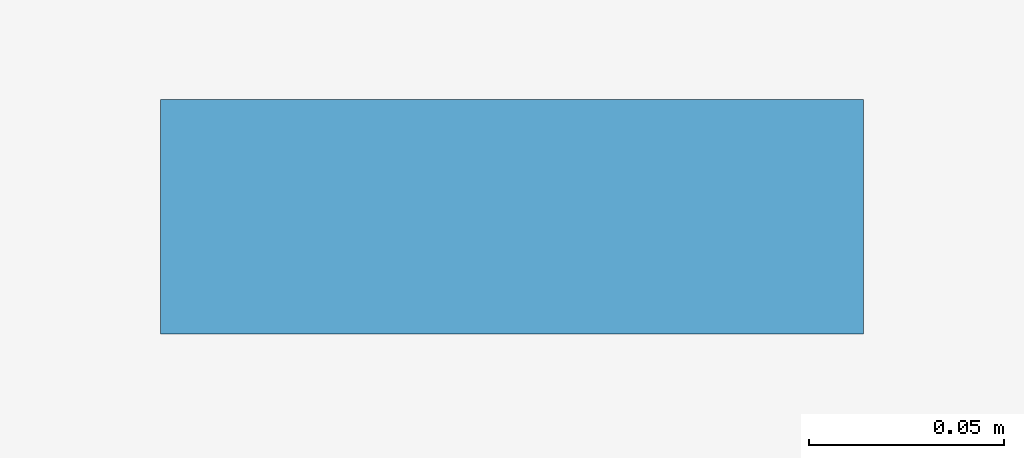
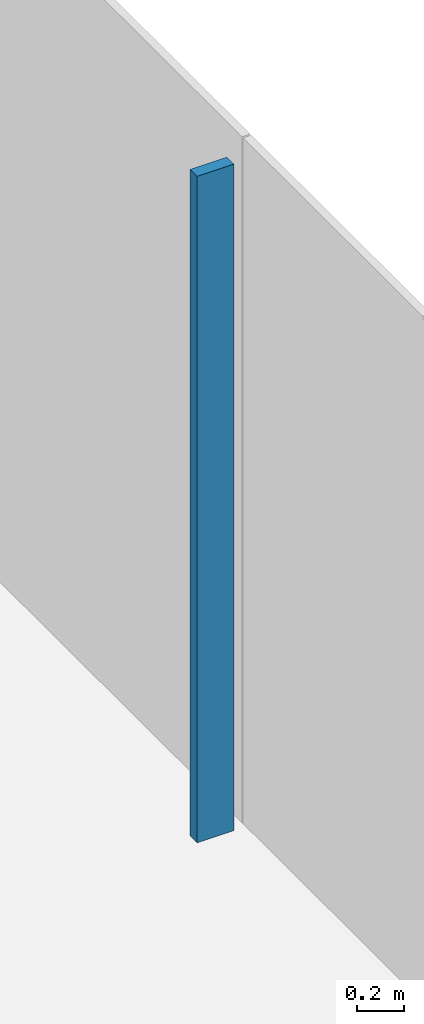
# One storey, part 9 of 21: 1 member, 1 element without a shape of its own.
"""IFC4 building model written with IfcOpenShell, lengths in metres."""

import ifcopenshell
import ifcopenshell.guid

model = None  # the IFC model being written
_history = None  # IfcOwnerHistory: only IFC2X3 demands one
_inside = {}  # id of a spatial element -> (the spatial element, [elements in it])
_under = {}  # id of a project, library or spatial element -> (it, [spatial elements below it])
_declared = {}  # id of a project -> (the project, [libraries it declares])
_typed = {}  # id of a type object -> (the type object, [elements of that type])
_made_of = {}  # id of a material, layer set ... -> (it, [elements and type objects made of it])


def new_model(schema):
    """Start an empty IFC model of exactly this schema.

    Asked for "IFC4X3", IfcOpenShell would pick the latest addendum, in which some entities
    have other attributes; the version numbers below select the first issue.
    IFC2X3 requires an IfcOwnerHistory on every rooted entity: one is made here for all.
    """
    global model, _history
    if schema == "IFC4X3":
        model = ifcopenshell.file(schema_version=(4, 3, 0, 0))
    else:
        model = ifcopenshell.file(schema=schema)
    _inside.clear()
    _under.clear()
    _declared.clear()
    _typed.clear()
    _made_of.clear()
    _history = None
    if model.schema == "IFC2X3":
        org = make("IfcOrganization", Name="unknown")
        user = make(
            "IfcPersonAndOrganization",
            ThePerson=make("IfcPerson", FamilyName="unknown"),
            TheOrganization=org,
        )
        app = make(
            "IfcApplication",
            ApplicationDeveloper=org,
            Version="unknown",
            ApplicationFullName="unknown",
            ApplicationIdentifier="unknown",
        )
        _history = make(
            "IfcOwnerHistory",
            OwningUser=user,
            OwningApplication=app,
            ChangeAction="ADDED",
            CreationDate=0,
        )
    return model


def make(cls, **values):
    """One entity of the class cls with the attributes given. An attribute that is None is left unset."""
    return model.create_entity(
        cls, **{name: value for name, value in values.items() if value is not None}
    )


def rooted(cls, **values):
    """An entity with a GlobalId (a new one), such as an element, a storey or a relation."""
    return make(cls, GlobalId=ifcopenshell.guid.new(), OwnerHistory=_history, **values)


def si_unit(unit_type, name, prefix=None):
    """IfcSIUnit, for example si_unit("LENGTHUNIT", "METRE", prefix="MILLI")."""
    return make("IfcSIUnit", UnitType=unit_type, Prefix=prefix, Name=name)


def assignment(units):
    """IfcUnitAssignment: the units of a project."""
    return None if units is None else make("IfcUnitAssignment", Units=units)


def point(xyz):
    """IfcCartesianPoint."""
    return None if xyz is None else make("IfcCartesianPoint", Coordinates=xyz)


def direction(xyz):
    """IfcDirection."""
    return None if xyz is None else make("IfcDirection", DirectionRatios=xyz)


def frame(location, z_axis=None, x_axis=None):
    """IfcAxis2Placement3D, a coordinate frame: its origin and axes. An axis left out is left unset."""
    return make(
        "IfcAxis2Placement3D",
        Location=point(location),
        Axis=direction(z_axis),
        RefDirection=direction(x_axis),
    )


def frame_2d(location, x_axis=None):
    """IfcAxis2Placement2D, a coordinate frame in the plane: its origin and x axis."""
    return make(
        "IfcAxis2Placement2D", Location=point(location), RefDirection=direction(x_axis)
    )


def origin():
    """The frame at (0, 0, 0) with its axes left unset."""
    return frame((0.0, 0.0, 0.0))


def origin_2d():
    """The frame at (0, 0) in the plane with its x axis left unset."""
    return frame_2d((0.0, 0.0))


def place(relative_to, where):
    """IfcLocalPlacement: puts the frame where relative to a parent placement (None: the world)."""
    return make(
        "IfcLocalPlacement", PlacementRelTo=relative_to, RelativePlacement=where
    )


def context(
    kind, dimensions, precision=None, world=None, true_north=None, identifier=None
):
    """IfcGeometricRepresentationContext, for example the 3D "Model" context."""
    return make(
        "IfcGeometricRepresentationContext",
        ContextIdentifier=identifier,
        ContextType=kind,
        CoordinateSpaceDimension=dimensions,
        Precision=precision,
        WorldCoordinateSystem=world,
        TrueNorth=true_north,
    )


def subcontext(parent, identifier, kind, view, scale=None):
    """IfcGeometricRepresentationSubContext, for example "Body" below "Model"."""
    return make(
        "IfcGeometricRepresentationSubContext",
        ContextIdentifier=identifier,
        ContextType=kind,
        ParentContext=parent,
        TargetScale=scale,
        TargetView=view,
    )


def project(units=None, contexts=None):
    """IfcProject with its units and contexts."""
    return rooted(
        "IfcProject",
        Name="project",
        RepresentationContexts=contexts,
        UnitsInContext=assignment(units),
    )


def spatial(cls, under=None, at=None, **own):
    """A site, building, storey or space (cls), placed at a placement, below another one or the project."""
    s = rooted(cls, ObjectPlacement=at, **own)
    if under is not None:
        _under.setdefault(under.id(), (under, []))[1].append(s)
    return s


def profile(cls, at=None, kind="AREA", **sizes):
    """A parametric profile (cls). Its sizes go by their IFC names, for example OverallWidth=200.0."""
    return make(cls, ProfileType=kind, Position=at, **sizes)


def rectangle(**sizes):
    """IfcRectangleProfileDef."""
    return profile("IfcRectangleProfileDef", **sizes)


def extrude(swept, where, along, depth):
    """IfcExtrudedAreaSolid: the profile swept, set in the frame where, extruded along a direction by depth."""
    return make(
        "IfcExtrudedAreaSolid",
        SweptArea=swept,
        Position=where,
        ExtrudedDirection=direction(along),
        Depth=depth,
    )


def shape(context_of_items, identifier, shape_type, items):
    """IfcShapeRepresentation: the items that make up one representation, for example the "Body"."""
    return make(
        "IfcShapeRepresentation",
        ContextOfItems=context_of_items,
        RepresentationIdentifier=identifier,
        RepresentationType=shape_type,
        Items=items,
    )


def material(Name=None, Category=None):
    """IfcMaterial."""
    return make("IfcMaterial", Name=Name, Category=Category)


def layer(
    of_material, thickness, ventilated=None, Name=None, Category=None, Priority=None
):
    """IfcMaterialLayer: one layer of a wall or slab, of a material (None: an air gap)."""
    return make(
        "IfcMaterialLayer",
        Material=of_material,
        LayerThickness=thickness,
        IsVentilated=ventilated,
        Name=Name,
        Category=Category,
        Priority=Priority,
    )


def layer_set(layers, Name=None):
    """IfcMaterialLayerSet."""
    return make("IfcMaterialLayerSet", MaterialLayers=layers, LayerSetName=Name)


def material_profile(
    of_material, cross_section, Name=None, Category=None, Priority=None
):
    """IfcMaterialProfile: a cross section and its material."""
    return make(
        "IfcMaterialProfile",
        Name=Name,
        Material=of_material,
        Profile=cross_section,
        Priority=Priority,
        Category=Category,
    )


def profile_set(profiles, Name=None, composite=None):
    """IfcMaterialProfileSet."""
    return make(
        "IfcMaterialProfileSet",
        Name=Name,
        MaterialProfiles=profiles,
        CompositeProfile=composite,
    )


def made_of(thing, what):
    """Note that an element or type object is made of a material, layer set ...; save() writes the relation."""
    if what is not None:
        _made_of.setdefault(what.id(), (what, []))[1].append(thing)
    return thing


def type_object(cls, material=None, **own):
    """A type object (cls), such as IfcWallType, which elements share."""
    return made_of(rooted(cls, **own), material)


def element(
    cls,
    number,
    at=None,
    inside=None,
    cuts=None,
    type_object=None,
    material=None,
    context=None,
    identifier="Body",
    shape_type=None,
    held_by="IfcProductDefinitionShape",
    body=None,
    shapes=None,
    **own,
):
    """One element of the class cls, such as IfcWall. Its Tag is "e" and its number.

    at: its placement. inside: the storey or other place that contains it. cuts: it is an
    opening in that element (IfcRelVoidsElement). A single representation is given by context,
    identifier, shape_type and body (its items); several are given by shapes. held_by: the class
    of the entity that holds the representations. save() writes the other relations.
    """
    e = rooted(cls, Tag="e%d" % number, ObjectPlacement=at, **own)
    if body is not None:
        shapes = [shape(context, identifier, shape_type, body)]
    if shapes is not None:
        e.Representation = make(held_by, Representations=shapes)
    if inside is not None:
        _inside.setdefault(inside.id(), (inside, []))[1].append(e)
    if cuts is not None:
        rooted(
            "IfcRelVoidsElement", RelatingBuildingElement=cuts, RelatedOpeningElement=e
        )
    if type_object is not None:
        _typed.setdefault(type_object.id(), (type_object, []))[1].append(e)
    return made_of(e, material)


def aggregate(whole, parts):
    """IfcRelAggregates: a whole, such as a stair, and the parts it consists of."""
    return rooted("IfcRelAggregates", RelatingObject=whole, RelatedObjects=parts)


def save(model, path):
    """Write the relations noted so far, then the file.

    IfcRelAggregates (storeys below a building ...), IfcRelContainedInSpatialStructure (elements
    in a storey), IfcRelDefinesByType, IfcRelAssociatesMaterial and IfcRelDeclares: one each for
    every whole, place, type object, material and project.
    """
    for whole, parts in _under.values():
        aggregate(whole, parts)
    for where, things in _inside.values():
        rooted(
            "IfcRelContainedInSpatialStructure",
            RelatedElements=things,
            RelatingStructure=where,
        )
    for kind, things in _typed.values():
        rooted("IfcRelDefinesByType", RelatedObjects=things, RelatingType=kind)
    for what, things in _made_of.values():
        rooted("IfcRelAssociatesMaterial", RelatedObjects=things, RelatingMaterial=what)
    for by, libraries in _declared.values():
        rooted("IfcRelDeclares", RelatingContext=by, RelatedDefinitions=libraries)
    model.write(path)


model = new_model("IFC4")

# Units and contexts
model_context = context("Model", 3, precision=1e-05, world=origin(), true_north=direction((0.0, 1.0)))
body_context = subcontext(model_context, "Body", "Model", "MODEL_VIEW")
ifc_project = project(units=[si_unit("LENGTHUNIT", "METRE"), si_unit("AREAUNIT", "SQUARE_METRE"), si_unit("VOLUMEUNIT", "CUBIC_METRE"), si_unit("PLANEANGLEUNIT", "RADIAN"), si_unit("MASSUNIT", "GRAM", prefix="KILO")], contexts=[model_context])

# Site, building, storey
site_placement = place(None, origin())
site = spatial("IfcSite", under=ifc_project, at=site_placement, CompositionType="ELEMENT")
building_placement = place(site_placement, origin())
building = spatial("IfcBuilding", under=site, at=building_placement, Name="Shamsa Quay Exchange Towers", CompositionType="ELEMENT")
storey_placement = place(building_placement, frame((0.0, 0.0, 65.39990234375)))
storey = spatial("IfcBuildingStorey", under=building, at=storey_placement, Name="L14", CompositionType="ELEMENT", Elevation=65.39990234375)

# Curtain wall, member
ifc_material = material(Name="Aluminium EN AW-6063 T6, black anodised", Category="aluminium")
ifc_layer = layer(ifc_material, 0.280029296875)
ifc_layer_set = layer_set([ifc_layer], Name="CW-1 UNITISED VISION GLASS")
curtain_wall_type = type_object("IfcCurtainWallType", Name="CW-1 UNITISED VISION GLASS", PredefinedType="NOTDEFINED", material=ifc_layer_set)
curtain_wall_placement = place(storey_placement, origin())
curtain_wall = element("IfcCurtainWall", 1, at=curtain_wall_placement, inside=storey, type_object=curtain_wall_type, Name="CW1 T2-END-V- L14", PredefinedType="NOTDEFINED")
ifc_material_profile = material_profile(ifc_material, rectangle(XDim=0.179931640625, YDim=0.06005859375, at=origin_2d()), Name="MU60x180")
ifc_profile_set = profile_set([ifc_material_profile], Name="Aluminium EN AW-6063 T6, black anodised")
member_type = type_object("IfcMemberType", Name="CW1 MULLION 60x180", PredefinedType="MULLION", material=ifc_profile_set)
member_placement = place(storey_placement, frame((62.85009765625, 2.25, 0.0), z_axis=(0.0, 0.0, 1.0), x_axis=(-1.0, 0.0, 0.0)))
member = element("IfcMember", 2, at=member_placement, type_object=member_type, Name="CW1 mullion", PredefinedType="MULLION", context=body_context, shape_type="SweptSolid", body=[
    extrude(rectangle(XDim=0.179931640625, YDim=0.06005859375, at=origin_2d()), origin(), (0.0, 0.0, 1.0), 3.4501953125),
])
aggregate(curtain_wall, [member])

save(model, "model.ifc")
